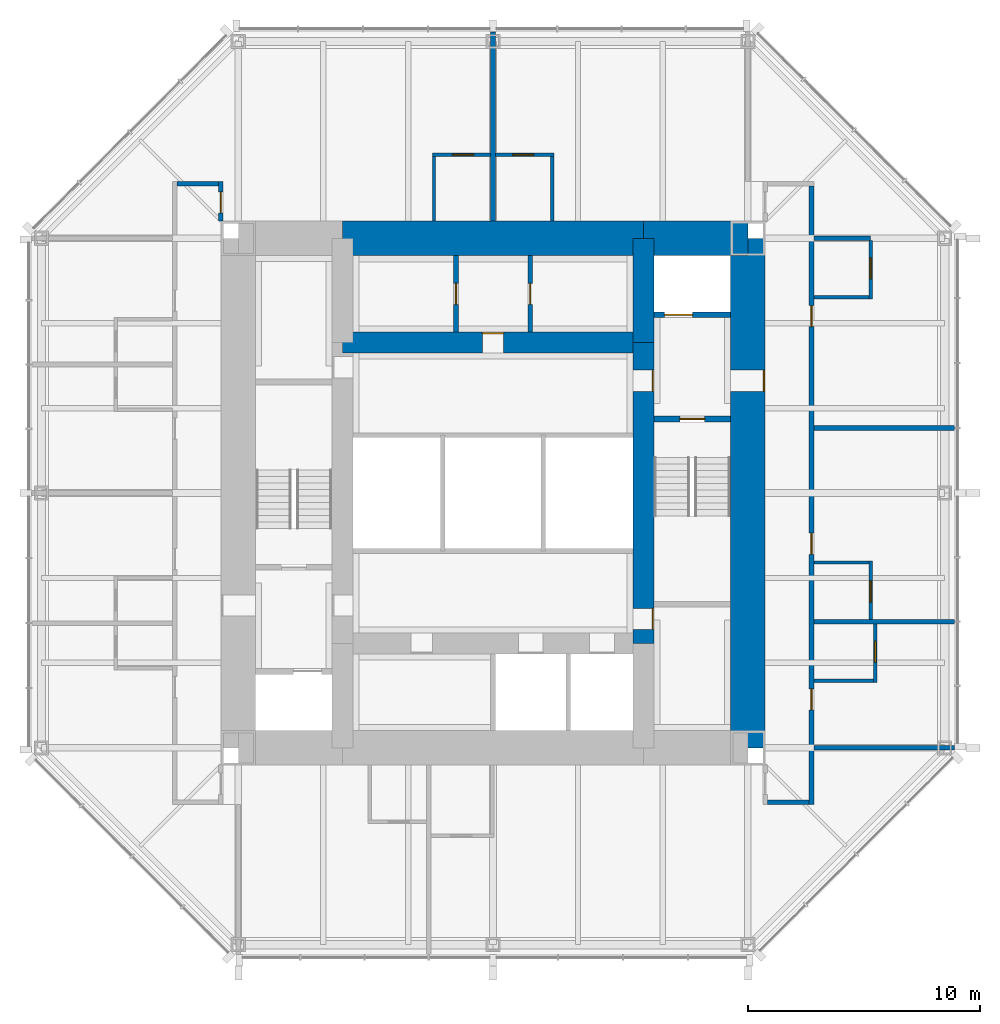
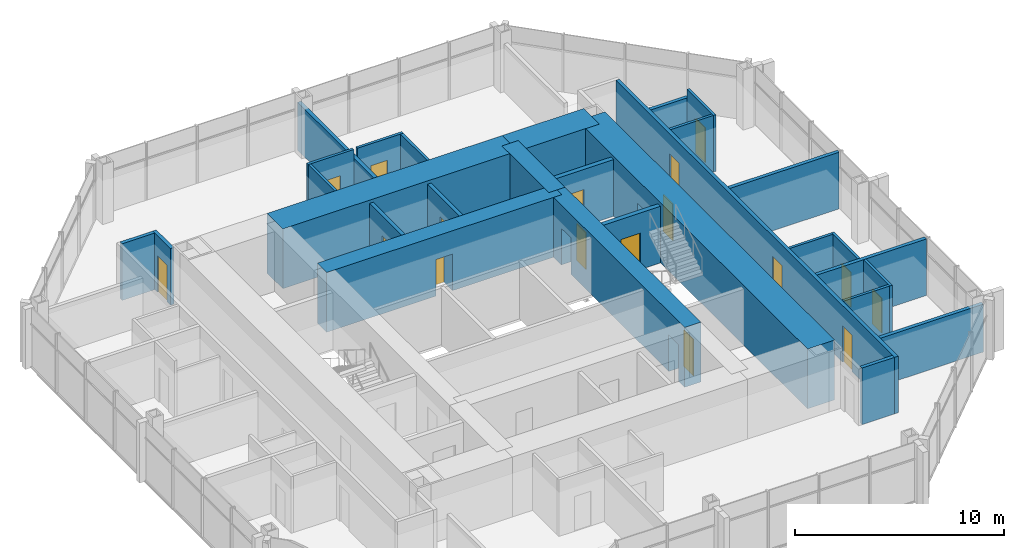
# One storey, part 9 of 11: 29 walls, 17 doors, 17 openings.
"""IFC4 building model written with IfcOpenShell, lengths in metres."""

import ifcopenshell
import ifcopenshell.guid

model = None  # the IFC model being written
_history = None  # IfcOwnerHistory: only IFC2X3 demands one
_inside = {}  # id of a spatial element -> (the spatial element, [elements in it])
_under = {}  # id of a project, library or spatial element -> (it, [spatial elements below it])
_declared = {}  # id of a project -> (the project, [libraries it declares])
_typed = {}  # id of a type object -> (the type object, [elements of that type])
_made_of = {}  # id of a material, layer set ... -> (it, [elements and type objects made of it])


def new_model(schema):
    """Start an empty IFC model of exactly this schema.

    Asked for "IFC4X3", IfcOpenShell would pick the latest addendum, in which some entities
    have other attributes; the version numbers below select the first issue.
    IFC2X3 requires an IfcOwnerHistory on every rooted entity: one is made here for all.
    """
    global model, _history
    if schema == "IFC4X3":
        model = ifcopenshell.file(schema_version=(4, 3, 0, 0))
    else:
        model = ifcopenshell.file(schema=schema)
    _inside.clear()
    _under.clear()
    _declared.clear()
    _typed.clear()
    _made_of.clear()
    _history = None
    if model.schema == "IFC2X3":
        org = make("IfcOrganization", Name="unknown")
        user = make(
            "IfcPersonAndOrganization",
            ThePerson=make("IfcPerson", FamilyName="unknown"),
            TheOrganization=org,
        )
        app = make(
            "IfcApplication",
            ApplicationDeveloper=org,
            Version="unknown",
            ApplicationFullName="unknown",
            ApplicationIdentifier="unknown",
        )
        _history = make(
            "IfcOwnerHistory",
            OwningUser=user,
            OwningApplication=app,
            ChangeAction="ADDED",
            CreationDate=0,
        )
    return model


def make(cls, **values):
    """One entity of the class cls with the attributes given. An attribute that is None is left unset."""
    return model.create_entity(
        cls, **{name: value for name, value in values.items() if value is not None}
    )


def rooted(cls, **values):
    """An entity with a GlobalId (a new one), such as an element, a storey or a relation."""
    return make(cls, GlobalId=ifcopenshell.guid.new(), OwnerHistory=_history, **values)


def si_unit(unit_type, name, prefix=None):
    """IfcSIUnit, for example si_unit("LENGTHUNIT", "METRE", prefix="MILLI")."""
    return make("IfcSIUnit", UnitType=unit_type, Prefix=prefix, Name=name)


def assignment(units):
    """IfcUnitAssignment: the units of a project."""
    return None if units is None else make("IfcUnitAssignment", Units=units)


def point(xyz):
    """IfcCartesianPoint."""
    return None if xyz is None else make("IfcCartesianPoint", Coordinates=xyz)


def direction(xyz):
    """IfcDirection."""
    return None if xyz is None else make("IfcDirection", DirectionRatios=xyz)


def frame(location, z_axis=None, x_axis=None):
    """IfcAxis2Placement3D, a coordinate frame: its origin and axes. An axis left out is left unset."""
    return make(
        "IfcAxis2Placement3D",
        Location=point(location),
        Axis=direction(z_axis),
        RefDirection=direction(x_axis),
    )


def frame_2d(location, x_axis=None):
    """IfcAxis2Placement2D, a coordinate frame in the plane: its origin and x axis."""
    return make(
        "IfcAxis2Placement2D", Location=point(location), RefDirection=direction(x_axis)
    )


def origin():
    """The frame at (0, 0, 0) with its axes left unset."""
    return frame((0.0, 0.0, 0.0))


def place(relative_to, where):
    """IfcLocalPlacement: puts the frame where relative to a parent placement (None: the world)."""
    return make(
        "IfcLocalPlacement", PlacementRelTo=relative_to, RelativePlacement=where
    )


def context(
    kind, dimensions, precision=None, world=None, true_north=None, identifier=None
):
    """IfcGeometricRepresentationContext, for example the 3D "Model" context."""
    return make(
        "IfcGeometricRepresentationContext",
        ContextIdentifier=identifier,
        ContextType=kind,
        CoordinateSpaceDimension=dimensions,
        Precision=precision,
        WorldCoordinateSystem=world,
        TrueNorth=true_north,
    )


def subcontext(parent, identifier, kind, view, scale=None):
    """IfcGeometricRepresentationSubContext, for example "Body" below "Model"."""
    return make(
        "IfcGeometricRepresentationSubContext",
        ContextIdentifier=identifier,
        ContextType=kind,
        ParentContext=parent,
        TargetScale=scale,
        TargetView=view,
    )


def project(units=None, contexts=None):
    """IfcProject with its units and contexts."""
    return rooted(
        "IfcProject",
        Name="project",
        RepresentationContexts=contexts,
        UnitsInContext=assignment(units),
    )


def spatial(cls, under=None, at=None, **own):
    """A site, building, storey or space (cls), placed at a placement, below another one or the project."""
    s = rooted(cls, ObjectPlacement=at, **own)
    if under is not None:
        _under.setdefault(under.id(), (under, []))[1].append(s)
    return s


def profile(cls, at=None, kind="AREA", **sizes):
    """A parametric profile (cls). Its sizes go by their IFC names, for example OverallWidth=200.0."""
    return make(cls, ProfileType=kind, Position=at, **sizes)


def rectangle(**sizes):
    """IfcRectangleProfileDef."""
    return profile("IfcRectangleProfileDef", **sizes)


def extrude(swept, where, along, depth):
    """IfcExtrudedAreaSolid: the profile swept, set in the frame where, extruded along a direction by depth."""
    return make(
        "IfcExtrudedAreaSolid",
        SweptArea=swept,
        Position=where,
        ExtrudedDirection=direction(along),
        Depth=depth,
    )


def shape(context_of_items, identifier, shape_type, items):
    """IfcShapeRepresentation: the items that make up one representation, for example the "Body"."""
    return make(
        "IfcShapeRepresentation",
        ContextOfItems=context_of_items,
        RepresentationIdentifier=identifier,
        RepresentationType=shape_type,
        Items=items,
    )


def material(Name=None, Category=None):
    """IfcMaterial."""
    return make("IfcMaterial", Name=Name, Category=Category)


def layer(
    of_material, thickness, ventilated=None, Name=None, Category=None, Priority=None
):
    """IfcMaterialLayer: one layer of a wall or slab, of a material (None: an air gap)."""
    return make(
        "IfcMaterialLayer",
        Material=of_material,
        LayerThickness=thickness,
        IsVentilated=ventilated,
        Name=Name,
        Category=Category,
        Priority=Priority,
    )


def layer_set(layers, Name=None):
    """IfcMaterialLayerSet."""
    return make("IfcMaterialLayerSet", MaterialLayers=layers, LayerSetName=Name)


def made_of(thing, what):
    """Note that an element or type object is made of a material, layer set ...; save() writes the relation."""
    if what is not None:
        _made_of.setdefault(what.id(), (what, []))[1].append(thing)
    return thing


def type_object(cls, material=None, **own):
    """A type object (cls), such as IfcWallType, which elements share."""
    return made_of(rooted(cls, **own), material)


def element(
    cls,
    number,
    at=None,
    inside=None,
    cuts=None,
    type_object=None,
    material=None,
    context=None,
    identifier="Body",
    shape_type=None,
    held_by="IfcProductDefinitionShape",
    body=None,
    shapes=None,
    **own,
):
    """One element of the class cls, such as IfcWall. Its Tag is "e" and its number.

    at: its placement. inside: the storey or other place that contains it. cuts: it is an
    opening in that element (IfcRelVoidsElement). A single representation is given by context,
    identifier, shape_type and body (its items); several are given by shapes. held_by: the class
    of the entity that holds the representations. save() writes the other relations.
    """
    e = rooted(cls, Tag="e%d" % number, ObjectPlacement=at, **own)
    if body is not None:
        shapes = [shape(context, identifier, shape_type, body)]
    if shapes is not None:
        e.Representation = make(held_by, Representations=shapes)
    if inside is not None:
        _inside.setdefault(inside.id(), (inside, []))[1].append(e)
    if cuts is not None:
        rooted(
            "IfcRelVoidsElement", RelatingBuildingElement=cuts, RelatedOpeningElement=e
        )
    if type_object is not None:
        _typed.setdefault(type_object.id(), (type_object, []))[1].append(e)
    return made_of(e, material)


def fill(opening, filler):
    """IfcRelFillsElement: the door or window that sits in an opening."""
    return rooted(
        "IfcRelFillsElement",
        RelatingOpeningElement=opening,
        RelatedBuildingElement=filler,
    )


def aggregate(whole, parts):
    """IfcRelAggregates: a whole, such as a stair, and the parts it consists of."""
    return rooted("IfcRelAggregates", RelatingObject=whole, RelatedObjects=parts)


def save(model, path):
    """Write the relations noted so far, then the file.

    IfcRelAggregates (storeys below a building ...), IfcRelContainedInSpatialStructure (elements
    in a storey), IfcRelDefinesByType, IfcRelAssociatesMaterial and IfcRelDeclares: one each for
    every whole, place, type object, material and project.
    """
    for whole, parts in _under.values():
        aggregate(whole, parts)
    for where, things in _inside.values():
        rooted(
            "IfcRelContainedInSpatialStructure",
            RelatedElements=things,
            RelatingStructure=where,
        )
    for kind, things in _typed.values():
        rooted("IfcRelDefinesByType", RelatedObjects=things, RelatingType=kind)
    for what, things in _made_of.values():
        rooted("IfcRelAssociatesMaterial", RelatedObjects=things, RelatingMaterial=what)
    for by, libraries in _declared.values():
        rooted("IfcRelDeclares", RelatingContext=by, RelatedDefinitions=libraries)
    model.write(path)


model = new_model("IFC4")

# Units and contexts
model_context = context("Model", 3, precision=1e-05, world=origin(), true_north=direction((0.0, 1.0)))
body_context = subcontext(model_context, "Body", "Model", "MODEL_VIEW")
ifc_project = project(units=[si_unit("LENGTHUNIT", "METRE"), si_unit("AREAUNIT", "SQUARE_METRE"), si_unit("VOLUMEUNIT", "CUBIC_METRE"), si_unit("PLANEANGLEUNIT", "RADIAN"), si_unit("MASSUNIT", "GRAM", prefix="KILO")], contexts=[model_context])

# Site, building, storey
site_placement = place(None, origin())
site = spatial("IfcSite", under=ifc_project, at=site_placement, CompositionType="ELEMENT")
building_placement = place(site_placement, origin())
building = spatial("IfcBuilding", under=site, at=building_placement, Name="Trevanion Tower", CompositionType="ELEMENT")
storey_placement = place(building_placement, frame((0.0, 0.0, 229.199951171875)))
storey = spatial("IfcBuildingStorey", under=building, at=storey_placement, Name="L55", CompositionType="ELEMENT", Elevation=229.199951171875)

# Wall, opening, door
ifc_material_1 = material(Name="Concrete 10,000 psi", Category="concrete")
ifc_layer_1 = layer(ifc_material_1, 1.5)
ifc_layer_set_1 = layer_set([ifc_layer_1], Name="CW1 core wall 1500")
wall_type_1 = type_object("IfcWallType", Name="CW1 core wall 1500", PredefinedType="SHEAR", material=ifc_layer_set_1)
wall_1_placement = place(storey_placement, frame((11.0, -11.0, 0.0), z_axis=(0.0, 0.0, 1.0), x_axis=(0.0, 1.0, 0.0)))
wall_1 = element("IfcWall", 1, at=wall_1_placement, inside=storey, type_object=wall_type_1, Name="CW1 CE L55", PredefinedType="SHEAR", context=body_context, shape_type="SweptSolid", body=[
    extrude(rectangle(XDim=22.0, YDim=1.5, at=frame_2d((11.0, 0.0))), origin(), (0.0, 0.0, 1.0), 3.5),
])
opening_1_placement = place(wall_1_placement, frame((15.392578125, 0.0, 0.0)))
opening_1 = element("IfcOpeningElement", 2, at=opening_1_placement, cuts=wall_1, Name="Opening 55-001", PredefinedType="OPENING", context=body_context, shape_type="SweptSolid", body=[
    extrude(rectangle(XDim=0.9150390625, YDim=2.134033203125, at=frame_2d((0.45751953125, 1.06689453125))), frame((0.0, 0.760009765625, 0.0), z_axis=(0.0, -1.0, 0.0), x_axis=(1.0, 0.0, 0.0)), (0.0, 0.0, 1.0), 1.52001953125),
])
ifc_material_2 = material(Name="Hollow metal, fire rated", Category="steel")
door_type_1 = type_object("IfcDoorType", Name="D3 fire lift lobby door", OperationType="SINGLE_SWING_RIGHT", PredefinedType="DOOR", material=ifc_material_2)
door_1_placement = place(opening_1_placement, origin())
door_1 = element("IfcDoor", 3, at=door_1_placement, inside=storey, type_object=door_type_1, Name="Door 55-001", OperationType="SINGLE_SWING_RIGHT", OverallHeight=2.134033203125, OverallWidth=0.9150390625, PredefinedType="DOOR", context=body_context, shape_type="SweptSolid", body=[
    extrude(rectangle(XDim=0.9150390625, YDim=2.134033203125, at=frame_2d((0.45751953125, 1.06689453125))), frame((0.0, -0.6748046875, 0.0), z_axis=(0.0, -1.0, 0.0), x_axis=(1.0, 0.0, 0.0)), (0.0, 0.0, 1.0), 0.050048828125),
])
fill(opening_1, door_1)

# Walls
wall_2_placement = place(storey_placement, frame((11.0, 11.0, 0.0), z_axis=(0.0, 0.0, 1.0), x_axis=(-1.0, 0.0, 0.0)))
element("IfcWall", 4, at=wall_2_placement, inside=storey, type_object=wall_type_1, Name="CW1 CN1 L55", PredefinedType="SHEAR", context=body_context, shape_type="SweptSolid", body=[
    extrude(rectangle(XDim=4.5, YDim=1.5, at=frame_2d((2.25, 0.0))), origin(), (0.0, 0.0, 1.0), 3.5),
])
wall_3_placement = place(storey_placement, frame((6.5, 11.0, 0.0), z_axis=(0.0, 0.0, 1.0), x_axis=(-1.0, 0.0, 0.0)))
element("IfcWall", 5, at=wall_3_placement, inside=storey, type_object=wall_type_1, Name="CW1 CN2 L55", PredefinedType="SHEAR", context=body_context, shape_type="SweptSolid", body=[
    extrude(rectangle(XDim=13.0, YDim=1.5, at=frame_2d((6.5, 0.0))), origin(), (0.0, 0.0, 1.0), 3.5),
])

# Wall, openings, doors
ifc_material_3 = material(Name="Concrete 10,000 psi", Category="concrete")
ifc_layer_2 = layer(ifc_material_3, 0.89990234375)
ifc_layer_set_2 = layer_set([ifc_layer_2], Name="CW2 core wall 900")
wall_type_2 = type_object("IfcWallType", Name="CW2 core wall 900", PredefinedType="SHEAR", material=ifc_layer_set_2)
wall_4_placement = place(storey_placement, frame((6.5, -6.5, 0.0), z_axis=(0.0, 0.0, 1.0), x_axis=(0.0, 1.0, 0.0)))
wall_4 = element("IfcWall", 6, at=wall_4_placement, inside=storey, type_object=wall_type_2, Name="CW2 RE2 L55", PredefinedType="SHEAR", context=body_context, shape_type="SweptSolid", body=[
    extrude(rectangle(XDim=13.0, YDim=0.89990234375, at=frame_2d((6.5, 0.0))), origin(), (0.0, 0.0, 1.0), 3.5),
])
opening_2_placement = place(wall_4_placement, frame((10.892578125, 0.0, 0.0)))
opening_2 = element("IfcOpeningElement", 7, at=opening_2_placement, cuts=wall_4, Name="Opening 55-003", PredefinedType="OPENING", context=body_context, shape_type="SweptSolid", body=[
    extrude(rectangle(XDim=0.9150390625, YDim=2.134033203125, at=frame_2d((0.45751953125, 1.06689453125))), frame((0.0, 0.4599609375, 0.0), z_axis=(0.0, -1.0, 0.0), x_axis=(1.0, 0.0, 0.0)), (0.0, 0.0, 1.0), 0.919921875),
])
opening_3_placement = place(wall_4_placement, frame((0.610107421875, 0.0, 0.0)))
opening_3 = element("IfcOpeningElement", 8, at=opening_3_placement, cuts=wall_4, Name="Opening 55-009", PredefinedType="OPENING", context=body_context, shape_type="SweptSolid", body=[
    extrude(rectangle(XDim=0.9150390625, YDim=2.134033203125, at=frame_2d((0.45751953125, 1.06689453125))), frame((0.0, 0.4599609375, 0.0), z_axis=(0.0, -1.0, 0.0), x_axis=(1.0, 0.0, 0.0)), (0.0, 0.0, 1.0), 0.919921875),
])
door_2_placement = place(opening_2_placement, origin())
door_2 = element("IfcDoor", 9, at=door_2_placement, inside=storey, type_object=door_type_1, Name="Door 55-003", OperationType="SINGLE_SWING_RIGHT", OverallHeight=2.134033203125, OverallWidth=0.9150390625, PredefinedType="DOOR", context=body_context, shape_type="SweptSolid", body=[
    extrude(rectangle(XDim=0.9150390625, YDim=2.134033203125, at=frame_2d((0.45751953125, 1.06689453125))), frame((0.0, -0.375, 0.0), z_axis=(0.0, -1.0, 0.0), x_axis=(1.0, 0.0, 0.0)), (0.0, 0.0, 1.0), 0.050048828125),
])
fill(opening_2, door_2)
ifc_material_4 = material(Name="Hollow metal, fire rated", Category="steel")
door_type_2 = type_object("IfcDoorType", Name="D5 service room door", OperationType="SINGLE_SWING_RIGHT", PredefinedType="DOOR", material=ifc_material_4)
door_3_placement = place(opening_3_placement, origin())
door_3 = element("IfcDoor", 10, at=door_3_placement, inside=storey, type_object=door_type_2, Name="Door 55-009", OperationType="SINGLE_SWING_RIGHT", OverallHeight=2.134033203125, OverallWidth=0.9150390625, PredefinedType="DOOR", context=body_context, shape_type="SweptSolid", body=[
    extrude(rectangle(XDim=0.9150390625, YDim=2.134033203125, at=frame_2d((0.45751953125, 1.06689453125))), frame((0.0, -0.375, 0.0), z_axis=(0.0, -1.0, 0.0), x_axis=(1.0, 0.0, 0.0)), (0.0, 0.0, 1.0), 0.050048828125),
])
fill(opening_3, door_3)

# Wall
wall_5_placement = place(storey_placement, frame((6.5, 6.5, 0.0), z_axis=(0.0, 0.0, 1.0), x_axis=(0.0, 1.0, 0.0)))
element("IfcWall", 11, at=wall_5_placement, inside=storey, type_object=wall_type_2, Name="CW2 RE3 L55", PredefinedType="SHEAR", context=body_context, shape_type="SweptSolid", body=[
    extrude(rectangle(XDim=4.5, YDim=0.89990234375, at=frame_2d((2.25, 0.0))), origin(), (0.0, 0.0, 1.0), 3.5),
])

# Wall, opening, door
wall_6_placement = place(storey_placement, frame((6.5, 6.5, 0.0), z_axis=(0.0, 0.0, 1.0), x_axis=(-1.0, 0.0, 0.0)))
wall_6 = element("IfcWall", 12, at=wall_6_placement, inside=storey, type_object=wall_type_2, Name="CW2 RN L55", PredefinedType="SHEAR", context=body_context, shape_type="SweptSolid", body=[
    extrude(rectangle(XDim=13.0, YDim=0.89990234375, at=frame_2d((6.5, 0.0))), origin(), (0.0, 0.0, 1.0), 3.5),
])
opening_4_placement = place(wall_6_placement, frame((6.04248046875, 0.0, 0.0)))
opening_4 = element("IfcOpeningElement", 13, at=opening_4_placement, cuts=wall_6, Name="Opening 55-014", PredefinedType="OPENING", context=body_context, shape_type="SweptSolid", body=[
    extrude(rectangle(XDim=0.9150390625, YDim=2.134033203125, at=frame_2d((0.45751953125, 1.06689453125))), frame((0.0, 0.4599609375, 0.0), z_axis=(0.0, -1.0, 0.0), x_axis=(1.0, 0.0, 0.0)), (0.0, 0.0, 1.0), 0.919921875),
])
door_4_placement = place(opening_4_placement, origin())
door_4 = element("IfcDoor", 14, at=door_4_placement, inside=storey, type_object=door_type_2, Name="Door 55-014", OperationType="SINGLE_SWING_RIGHT", OverallHeight=2.134033203125, OverallWidth=0.9150390625, PredefinedType="DOOR", context=body_context, shape_type="SweptSolid", body=[
    extrude(rectangle(XDim=0.9150390625, YDim=2.134033203125, at=frame_2d((0.45751953125, 1.06689453125))), frame((0.0, -0.375, 0.0), z_axis=(0.0, -1.0, 0.0), x_axis=(1.0, 0.0, 0.0)), (0.0, 0.0, 1.0), 0.050048828125),
])
fill(opening_4, door_4)

ifc_material_5 = material(Name="Gypsum board on steel studs", Category="steel")
ifc_layer_3 = layer(ifc_material_5, 0.14990234375)
ifc_layer_set_3 = layer_set([ifc_layer_3], Name="PT1 partition 150")
wall_type_3 = type_object("IfcWallType", Name="PT1 partition 150", PredefinedType="PARTITIONING", material=ifc_layer_set_3)
wall_7_placement = place(storey_placement, frame((16.5, -8.174072265625, 0.0), z_axis=(0.0, 0.0, 1.0), x_axis=(0.0, 1.0, 0.0)))
wall_7 = element("IfcWall", 15, at=wall_7_placement, inside=storey, type_object=wall_type_3, Name="PT1 L55 BA00", PredefinedType="PARTITIONING", context=body_context, shape_type="SweptSolid", body=[
    extrude(rectangle(XDim=2.525146484375, YDim=0.14990234375, at=frame_2d((1.2626953125, 0.0))), origin(), (0.0, 0.0, 1.0), 3.31005859375),
])
opening_5_placement = place(wall_7_placement, frame((0.867431640625, 0.0, 0.0)))
opening_5 = element("IfcOpeningElement", 16, at=opening_5_placement, cuts=wall_7, Name="Opening 55-017", PredefinedType="OPENING", context=body_context, shape_type="SweptSolid", body=[
    extrude(rectangle(XDim=0.9150390625, YDim=2.031982421875, at=frame_2d((0.45751953125, 1.01611328125))), frame((0.0, 0.0849609375, 0.0), z_axis=(0.0, -1.0, 0.0), x_axis=(1.0, 0.0, 0.0)), (0.0, 0.0, 1.0), 0.169921875),
])
ifc_material_6 = material(Name="Timber veneer", Category="wood")
door_type_3 = type_object("IfcDoorType", Name="D7 bathroom door", OperationType="SINGLE_SWING_LEFT", PredefinedType="DOOR", material=ifc_material_6)
door_5_placement = place(opening_5_placement, origin())
door_5 = element("IfcDoor", 17, at=door_5_placement, inside=storey, type_object=door_type_3, Name="Door 55-017", OperationType="SINGLE_SWING_LEFT", OverallHeight=2.031982421875, OverallWidth=0.9150390625, PredefinedType="DOOR", context=body_context, shape_type="SweptSolid", body=[
    extrude(rectangle(XDim=0.9150390625, YDim=2.031982421875, at=frame_2d((0.45751953125, 1.01611328125))), frame((0.0, 0.02490234375, 0.0), z_axis=(0.0, -1.0, 0.0), x_axis=(1.0, 0.0, 0.0)), (0.0, 0.0, 1.0), 0.050048828125),
])
fill(opening_5, door_5)

# Wall
wall_8_placement = place(storey_placement, frame((13.85009765625, -8.09912109375, 0.0), z_axis=(0.0, 0.0, 1.0), x_axis=(1.0, 0.0, 0.0)))
element("IfcWall", 18, at=wall_8_placement, inside=storey, type_object=wall_type_3, Name="PT1 L55 BB00", PredefinedType="PARTITIONING", context=body_context, shape_type="SweptSolid", body=[
    extrude(rectangle(XDim=2.574951171875, YDim=0.14990234375, at=frame_2d((1.28759765625, 0.0))), origin(), (0.0, 0.0, 1.0), 3.31005859375),
])

# Wall, opening, door
wall_9_placement = place(storey_placement, frame((16.300048828125, -5.448974609375, 0.0), z_axis=(0.0, 0.0, 1.0), x_axis=(0.0, 1.0, 0.0)))
wall_9 = element("IfcWall", 19, at=wall_9_placement, inside=storey, type_object=wall_type_3, Name="PT1 L55 BA01", PredefinedType="PARTITIONING", context=body_context, shape_type="SweptSolid", body=[
    extrude(rectangle(XDim=2.52490234375, YDim=0.14990234375, at=frame_2d((1.262451171875, 0.0))), origin(), (0.0, 0.0, 1.0), 3.31005859375),
])
opening_6_placement = place(wall_9_placement, frame((0.742431640625, 0.0, 0.0)))
opening_6 = element("IfcOpeningElement", 20, at=opening_6_placement, cuts=wall_9, Name="Opening 55-019", PredefinedType="OPENING", context=body_context, shape_type="SweptSolid", body=[
    extrude(rectangle(XDim=0.9150390625, YDim=2.031982421875, at=frame_2d((0.45751953125, 1.01611328125))), frame((0.0, 0.0849609375, 0.0), z_axis=(0.0, -1.0, 0.0), x_axis=(1.0, 0.0, 0.0)), (0.0, 0.0, 1.0), 0.169921875),
])
door_6_placement = place(opening_6_placement, origin())
door_6 = element("IfcDoor", 21, at=door_6_placement, inside=storey, type_object=door_type_3, Name="Door 55-019", OperationType="SINGLE_SWING_LEFT", OverallHeight=2.031982421875, OverallWidth=0.9150390625, PredefinedType="DOOR", context=body_context, shape_type="SweptSolid", body=[
    extrude(rectangle(XDim=0.9150390625, YDim=2.031982421875, at=frame_2d((0.45751953125, 1.01611328125))), frame((0.0, 0.02490234375, 0.0), z_axis=(0.0, -1.0, 0.0), x_axis=(1.0, 0.0, 0.0)), (0.0, 0.0, 1.0), 0.050048828125),
])
fill(opening_6, door_6)

# Wall
wall_10_placement = place(storey_placement, frame((13.85009765625, -2.9990234375, 0.0), z_axis=(0.0, 0.0, 1.0), x_axis=(1.0, 0.0, 0.0)))
element("IfcWall", 22, at=wall_10_placement, inside=storey, type_object=wall_type_3, Name="PT1 L55 BB01", PredefinedType="PARTITIONING", context=body_context, shape_type="SweptSolid", body=[
    extrude(rectangle(XDim=2.375, YDim=0.14990234375, at=frame_2d((1.1875, 0.0))), origin(), (0.0, 0.0, 1.0), 3.31005859375),
])

# Wall, opening, door
wall_11_placement = place(storey_placement, frame((16.300048828125, 8.375, 0.0), z_axis=(0.0, 0.0, 1.0), x_axis=(0.0, 1.0, 0.0)))
wall_11 = element("IfcWall", 23, at=wall_11_placement, inside=storey, type_object=wall_type_3, Name="PT1 L55 BA02", PredefinedType="PARTITIONING", context=body_context, shape_type="SweptSolid", body=[
    extrude(rectangle(XDim=2.52490234375, YDim=0.14990234375, at=frame_2d((1.262451171875, 0.0))), origin(), (0.0, 0.0, 1.0), 3.31005859375),
])
opening_7_placement = place(wall_11_placement, frame((0.867431640625, 0.0, 0.0)))
opening_7 = element("IfcOpeningElement", 24, at=opening_7_placement, cuts=wall_11, Name="Opening 55-021", PredefinedType="OPENING", context=body_context, shape_type="SweptSolid", body=[
    extrude(rectangle(XDim=0.9150390625, YDim=2.031982421875, at=frame_2d((0.45751953125, 1.01611328125))), frame((0.0, 0.0849609375, 0.0), z_axis=(0.0, -1.0, 0.0), x_axis=(1.0, 0.0, 0.0)), (0.0, 0.0, 1.0), 0.169921875),
])
door_7_placement = place(opening_7_placement, origin())
door_7 = element("IfcDoor", 25, at=door_7_placement, inside=storey, type_object=door_type_3, Name="Door 55-021", OperationType="SINGLE_SWING_LEFT", OverallHeight=2.031982421875, OverallWidth=0.9150390625, PredefinedType="DOOR", context=body_context, shape_type="SweptSolid", body=[
    extrude(rectangle(XDim=0.9150390625, YDim=2.031982421875, at=frame_2d((0.45751953125, 1.01611328125))), frame((0.0, 0.02490234375, 0.0), z_axis=(0.0, -1.0, 0.0), x_axis=(1.0, 0.0, 0.0)), (0.0, 0.0, 1.0), 0.050048828125),
])
fill(opening_7, door_7)

# Wall
wall_12_placement = place(storey_placement, frame((13.85009765625, 8.449951171875, 0.0), z_axis=(0.0, 0.0, 1.0), x_axis=(1.0, 0.0, 0.0)))
element("IfcWall", 26, at=wall_12_placement, inside=storey, type_object=wall_type_3, Name="PT1 L55 BB02", PredefinedType="PARTITIONING", context=body_context, shape_type="SweptSolid", body=[
    extrude(rectangle(XDim=2.375, YDim=0.14990234375, at=frame_2d((1.1875, 0.0))), origin(), (0.0, 0.0, 1.0), 3.31005859375),
])

# Wall, opening, door
wall_13_placement = place(storey_placement, frame((2.625, 14.60009765625, 0.0), z_axis=(0.0, 0.0, 1.0), x_axis=(-1.0, 0.0, 0.0)))
wall_13 = element("IfcWall", 27, at=wall_13_placement, inside=storey, type_object=wall_type_3, Name="PT1 L55 BA10", PredefinedType="PARTITIONING", context=body_context, shape_type="SweptSolid", body=[
    extrude(rectangle(XDim=2.52490234375, YDim=0.14990234375, at=frame_2d((1.262451171875, 0.0))), origin(), (0.0, 0.0, 1.0), 3.31005859375),
])
opening_8_placement = place(wall_13_placement, frame((0.867431640625, 0.0, 0.0)))
opening_8 = element("IfcOpeningElement", 28, at=opening_8_placement, cuts=wall_13, Name="Opening 55-025", PredefinedType="OPENING", context=body_context, shape_type="SweptSolid", body=[
    extrude(rectangle(XDim=0.9150390625, YDim=2.031982421875, at=frame_2d((0.45751953125, 1.01611328125))), frame((0.0, 0.0849609375, 0.0), z_axis=(0.0, -1.0, 0.0), x_axis=(1.0, 0.0, 0.0)), (0.0, 0.0, 1.0), 0.169921875),
])
door_8_placement = place(opening_8_placement, origin())
door_8 = element("IfcDoor", 29, at=door_8_placement, inside=storey, type_object=door_type_3, Name="Door 55-025", OperationType="SINGLE_SWING_LEFT", OverallHeight=2.031982421875, OverallWidth=0.9150390625, PredefinedType="DOOR", context=body_context, shape_type="SweptSolid", body=[
    extrude(rectangle(XDim=0.9150390625, YDim=2.031982421875, at=frame_2d((0.45751953125, 1.01611328125))), frame((0.0, 0.02490234375, 0.0), z_axis=(0.0, -1.0, 0.0), x_axis=(1.0, 0.0, 0.0)), (0.0, 0.0, 1.0), 0.050048828125),
])
fill(opening_8, door_8)

# Wall
wall_14_placement = place(storey_placement, frame((2.550048828125, 11.75, 0.0), z_axis=(0.0, 0.0, 1.0), x_axis=(0.0, 1.0, 0.0)))
element("IfcWall", 30, at=wall_14_placement, inside=storey, type_object=wall_type_3, Name="PT1 L55 BB10", PredefinedType="PARTITIONING", context=body_context, shape_type="SweptSolid", body=[
    extrude(rectangle(XDim=2.77490234375, YDim=0.14990234375, at=frame_2d((1.387451171875, 0.0))), origin(), (0.0, 0.0, 1.0), 3.31005859375),
])

# Wall, opening, door
wall_15_placement = place(storey_placement, frame((-0.10009765625, 14.60009765625, 0.0), z_axis=(0.0, 0.0, 1.0), x_axis=(-1.0, 0.0, 0.0)))
wall_15 = element("IfcWall", 31, at=wall_15_placement, inside=storey, type_object=wall_type_3, Name="PT1 L55 BA11", PredefinedType="PARTITIONING", context=body_context, shape_type="SweptSolid", body=[
    extrude(rectangle(XDim=2.52490234375, YDim=0.14990234375, at=frame_2d((1.262451171875, 0.0))), origin(), (0.0, 0.0, 1.0), 3.31005859375),
])
opening_9_placement = place(wall_15_placement, frame((0.742431640625, 0.0, 0.0)))
opening_9 = element("IfcOpeningElement", 32, at=opening_9_placement, cuts=wall_15, Name="Opening 55-026", PredefinedType="OPENING", context=body_context, shape_type="SweptSolid", body=[
    extrude(rectangle(XDim=0.9150390625, YDim=2.031982421875, at=frame_2d((0.45751953125, 1.01611328125))), frame((0.0, 0.0849609375, 0.0), z_axis=(0.0, -1.0, 0.0), x_axis=(1.0, 0.0, 0.0)), (0.0, 0.0, 1.0), 0.169921875),
])
door_9_placement = place(opening_9_placement, origin())
door_9 = element("IfcDoor", 33, at=door_9_placement, inside=storey, type_object=door_type_3, Name="Door 55-026", OperationType="SINGLE_SWING_LEFT", OverallHeight=2.031982421875, OverallWidth=0.9150390625, PredefinedType="DOOR", context=body_context, shape_type="SweptSolid", body=[
    extrude(rectangle(XDim=0.9150390625, YDim=2.031982421875, at=frame_2d((0.45751953125, 1.01611328125))), frame((0.0, 0.02490234375, 0.0), z_axis=(0.0, -1.0, 0.0), x_axis=(1.0, 0.0, 0.0)), (0.0, 0.0, 1.0), 0.050048828125),
])
fill(opening_9, door_9)

# Wall
wall_16_placement = place(storey_placement, frame((-2.550048828125, 11.75, 0.0), z_axis=(0.0, 0.0, 1.0), x_axis=(0.0, 1.0, 0.0)))
element("IfcWall", 34, at=wall_16_placement, inside=storey, type_object=wall_type_3, Name="PT1 L55 BB11", PredefinedType="PARTITIONING", context=body_context, shape_type="SweptSolid", body=[
    extrude(rectangle(XDim=2.77490234375, YDim=0.14990234375, at=frame_2d((1.387451171875, 0.0))), origin(), (0.0, 0.0, 1.0), 3.31005859375),
])

# Wall, opening, door
ifc_material_7 = material(Name="Concrete masonry, grouted", Category="masonry")
ifc_layer_4 = layer(ifc_material_7, 0.199951171875)
ifc_layer_set_4 = layer_set([ifc_layer_4], Name="PT2 partition 200 1 HR")
wall_type_4 = type_object("IfcWallType", Name="PT2 partition 200 1 HR", PredefinedType="PARTITIONING", material=ifc_layer_set_4)
wall_17_placement = place(storey_placement, frame((-1.60009765625, 6.949951171875, 0.0), z_axis=(0.0, 0.0, 1.0), x_axis=(0.0, 1.0, 0.0)))
wall_17 = element("IfcWall", 35, at=wall_17_placement, inside=storey, type_object=wall_type_4, Name="PT2 L55 HKP1", PredefinedType="PARTITIONING", context=body_context, shape_type="SweptSolid", body=[
    extrude(rectangle(XDim=3.300048828125, YDim=0.199951171875, at=frame_2d((1.64990234375, 0.0))), origin(), (0.0, 0.0, 1.0), 3.31005859375),
])
opening_10_placement = place(wall_17_placement, frame((1.1923828125, 0.0, 0.0)))
opening_10 = element("IfcOpeningElement", 36, at=opening_10_placement, cuts=wall_17, Name="Opening 55-015", PredefinedType="OPENING", context=body_context, shape_type="SweptSolid", body=[
    extrude(rectangle(XDim=0.9150390625, YDim=2.134033203125, at=frame_2d((0.45751953125, 1.06689453125))), frame((0.0, 0.10986328125, 0.0), z_axis=(0.0, -1.0, 0.0), x_axis=(1.0, 0.0, 0.0)), (0.0, 0.0, 1.0), 0.219970703125),
])
door_10_placement = place(opening_10_placement, origin())
door_10 = element("IfcDoor", 37, at=door_10_placement, inside=storey, type_object=door_type_2, Name="Door 55-015", OperationType="SINGLE_SWING_RIGHT", OverallHeight=2.134033203125, OverallWidth=0.9150390625, PredefinedType="DOOR", context=body_context, shape_type="SweptSolid", body=[
    extrude(rectangle(XDim=0.9150390625, YDim=2.134033203125, at=frame_2d((0.45751953125, 1.06689453125))), frame((0.0, 0.02490234375, 0.0), z_axis=(0.0, -1.0, 0.0), x_axis=(1.0, 0.0, 0.0)), (0.0, 0.0, 1.0), 0.050048828125),
])
fill(opening_10, door_10)

wall_18_placement = place(storey_placement, frame((1.60009765625, 6.949951171875, 0.0), z_axis=(0.0, 0.0, 1.0), x_axis=(0.0, 1.0, 0.0)))
wall_18 = element("IfcWall", 38, at=wall_18_placement, inside=storey, type_object=wall_type_4, Name="PT2 L55 HKP2", PredefinedType="PARTITIONING", context=body_context, shape_type="SweptSolid", body=[
    extrude(rectangle(XDim=3.300048828125, YDim=0.199951171875, at=frame_2d((1.64990234375, 0.0))), origin(), (0.0, 0.0, 1.0), 3.31005859375),
])
opening_11_placement = place(wall_18_placement, frame((1.1923828125, 0.0, 0.0)))
opening_11 = element("IfcOpeningElement", 39, at=opening_11_placement, cuts=wall_18, Name="Opening 55-016", PredefinedType="OPENING", context=body_context, shape_type="SweptSolid", body=[
    extrude(rectangle(XDim=0.9150390625, YDim=2.134033203125, at=frame_2d((0.45751953125, 1.06689453125))), frame((0.0, 0.10986328125, 0.0), z_axis=(0.0, -1.0, 0.0), x_axis=(1.0, 0.0, 0.0)), (0.0, 0.0, 1.0), 0.219970703125),
])
door_11_placement = place(opening_11_placement, origin())
door_11 = element("IfcDoor", 40, at=door_11_placement, inside=storey, type_object=door_type_2, Name="Door 55-016", OperationType="SINGLE_SWING_RIGHT", OverallHeight=2.134033203125, OverallWidth=0.9150390625, PredefinedType="DOOR", context=body_context, shape_type="SweptSolid", body=[
    extrude(rectangle(XDim=0.9150390625, YDim=2.134033203125, at=frame_2d((0.45751953125, 1.06689453125))), frame((0.0, 0.02490234375, 0.0), z_axis=(0.0, -1.0, 0.0), x_axis=(1.0, 0.0, 0.0)), (0.0, 0.0, 1.0), 0.050048828125),
])
fill(opening_11, door_11)

wall_19_placement = place(storey_placement, frame((-11.75, 11.75, 0.0), z_axis=(0.0, 0.0, 1.0), x_axis=(0.0, 1.0, 0.0)))
wall_19 = element("IfcWall", 41, at=wall_19_placement, inside=storey, type_object=wall_type_4, Name="PT2 L55 HO1b", PredefinedType="PARTITIONING", context=body_context, shape_type="SweptSolid", body=[
    extrude(rectangle(XDim=1.699951171875, YDim=0.199951171875, at=frame_2d((0.85009765625, 0.0))), origin(), (0.0, 0.0, 1.0), 3.31005859375),
])
opening_12_placement = place(wall_19_placement, frame((0.342529296875, 0.0, 0.0)))
opening_12 = element("IfcOpeningElement", 42, at=opening_12_placement, cuts=wall_19, Name="Opening 55-024", PredefinedType="OPENING", context=body_context, shape_type="SweptSolid", body=[
    extrude(rectangle(XDim=0.9150390625, YDim=2.134033203125, at=frame_2d((0.45751953125, 1.06689453125))), frame((0.0, 0.10986328125, 0.0), z_axis=(0.0, -1.0, 0.0), x_axis=(1.0, 0.0, 0.0)), (0.0, 0.0, 1.0), 0.219970703125),
])
ifc_material_8 = material(Name="Timber veneer, fire rated", Category="wood")
door_type_4 = type_object("IfcDoorType", Name="D6 guest room entrance door", OperationType="SINGLE_SWING_LEFT", PredefinedType="DOOR", material=ifc_material_8)
door_12_placement = place(opening_12_placement, origin())
door_12 = element("IfcDoor", 43, at=door_12_placement, inside=storey, type_object=door_type_4, Name="Door 55-024", OperationType="SINGLE_SWING_LEFT", OverallHeight=2.134033203125, OverallWidth=0.9150390625, PredefinedType="DOOR", context=body_context, shape_type="SweptSolid", body=[
    extrude(rectangle(XDim=0.9150390625, YDim=2.134033203125, at=frame_2d((0.45751953125, 1.06689453125))), frame((0.0, 0.02490234375, 0.0), z_axis=(0.0, -1.0, 0.0), x_axis=(1.0, 0.0, 0.0)), (0.0, 0.0, 1.0), 0.050048828125),
])
fill(opening_12, door_12)

# Walls
for number, where, z_axis, x_axis, name in (
    (44, (-11.85009765625, 13.35009765625, 0.0), (0.0, 0.0, 1.0), (-1.0, 0.0, 0.0), "PT2 L55 HC1cb"),
    (45, (11.85009765625, -13.35009765625, 0.0), (0.0, 0.0, 1.0), (1.0, 0.0, 0.0), "PT2 L55 HC3cb"),
):
    element("IfcWall", number, at=place(storey_placement, frame(where, z_axis=z_axis, x_axis=x_axis)), inside=storey, type_object=wall_type_4, Name=name, PredefinedType="PARTITIONING", context=body_context, shape_type="SweptSolid", body=[
        extrude(rectangle(XDim=1.7998046875, YDim=0.199951171875, at=frame_2d((0.89990234375, 0.0))), origin(), (0.0, 0.0, 1.0), 3.31005859375),
    ])

# Wall, openings, doors
wall_20_placement = place(storey_placement, frame((13.75, -13.449951171875, 0.0), z_axis=(0.0, 0.0, 1.0), x_axis=(0.0, 1.0, 0.0)))
wall_20 = element("IfcWall", 46, at=wall_20_placement, inside=storey, type_object=wall_type_4, Name="PT2 L55 HC0", PredefinedType="PARTITIONING", context=body_context, shape_type="SweptSolid", body=[
    extrude(rectangle(XDim=26.699951171875, YDim=0.199951171875, at=frame_2d((13.35009765625, 0.0))), origin(), (0.0, 0.0, 1.0), 3.31005859375),
])
opening_13_placement = place(wall_20_placement, frame((4.08349609375, 0.0, 0.0)))
opening_13 = element("IfcOpeningElement", 47, at=opening_13_placement, cuts=wall_20, Name="Opening 55-018", PredefinedType="OPENING", context=body_context, shape_type="SweptSolid", body=[
    extrude(rectangle(XDim=0.9150390625, YDim=2.134033203125, at=frame_2d((0.45751953125, 1.06689453125))), frame((0.0, 0.10986328125, 0.0), z_axis=(0.0, -1.0, 0.0), x_axis=(1.0, 0.0, 0.0)), (0.0, 0.0, 1.0), 0.219970703125),
])
opening_14_placement = place(wall_20_placement, frame((10.803466796875, 0.0, 0.0)))
opening_14 = element("IfcOpeningElement", 48, at=opening_14_placement, cuts=wall_20, Name="Opening 55-020", PredefinedType="OPENING", context=body_context, shape_type="SweptSolid", body=[
    extrude(rectangle(XDim=0.9150390625, YDim=2.134033203125, at=frame_2d((0.45751953125, 1.06689453125))), frame((0.0, 0.10986328125, 0.0), z_axis=(0.0, -1.0, 0.0), x_axis=(1.0, 0.0, 0.0)), (0.0, 0.0, 1.0), 0.219970703125),
])
opening_15_placement = place(wall_20_placement, frame((20.632568359375, 0.0, 0.0)))
opening_15 = element("IfcOpeningElement", 49, at=opening_15_placement, cuts=wall_20, Name="Opening 55-022", PredefinedType="OPENING", context=body_context, shape_type="SweptSolid", body=[
    extrude(rectangle(XDim=0.9150390625, YDim=2.134033203125, at=frame_2d((0.45751953125, 1.06689453125))), frame((0.0, 0.10986328125, 0.0), z_axis=(0.0, -1.0, 0.0), x_axis=(1.0, 0.0, 0.0)), (0.0, 0.0, 1.0), 0.219970703125),
])
door_13_placement = place(opening_13_placement, origin())
door_13 = element("IfcDoor", 50, at=door_13_placement, inside=storey, type_object=door_type_4, Name="Door 55-018", OperationType="SINGLE_SWING_LEFT", OverallHeight=2.134033203125, OverallWidth=0.9150390625, PredefinedType="DOOR", context=body_context, shape_type="SweptSolid", body=[
    extrude(rectangle(XDim=0.9150390625, YDim=2.134033203125, at=frame_2d((0.45751953125, 1.06689453125))), frame((0.0, 0.02490234375, 0.0), z_axis=(0.0, -1.0, 0.0), x_axis=(1.0, 0.0, 0.0)), (0.0, 0.0, 1.0), 0.050048828125),
])
fill(opening_13, door_13)
door_14_placement = place(opening_14_placement, origin())
door_14 = element("IfcDoor", 51, at=door_14_placement, inside=storey, type_object=door_type_4, Name="Door 55-020", OperationType="SINGLE_SWING_LEFT", OverallHeight=2.134033203125, OverallWidth=0.9150390625, PredefinedType="DOOR", context=body_context, shape_type="SweptSolid", body=[
    extrude(rectangle(XDim=0.9150390625, YDim=2.134033203125, at=frame_2d((0.45751953125, 1.06689453125))), frame((0.0, 0.02490234375, 0.0), z_axis=(0.0, -1.0, 0.0), x_axis=(1.0, 0.0, 0.0)), (0.0, 0.0, 1.0), 0.050048828125),
])
fill(opening_14, door_14)
door_15_placement = place(opening_15_placement, origin())
door_15 = element("IfcDoor", 52, at=door_15_placement, inside=storey, type_object=door_type_4, Name="Door 55-022", OperationType="SINGLE_SWING_LEFT", OverallHeight=2.134033203125, OverallWidth=0.9150390625, PredefinedType="DOOR", context=body_context, shape_type="SweptSolid", body=[
    extrude(rectangle(XDim=0.9150390625, YDim=2.134033203125, at=frame_2d((0.45751953125, 1.06689453125))), frame((0.0, 0.02490234375, 0.0), z_axis=(0.0, -1.0, 0.0), x_axis=(1.0, 0.0, 0.0)), (0.0, 0.0, 1.0), 0.050048828125),
])
fill(opening_15, door_15)

# Walls
wall_21_placement = place(storey_placement, frame((13.85009765625, -11.0, 0.0), z_axis=(0.0, 0.0, 1.0), x_axis=(1.0, 0.0, 0.0)))
element("IfcWall", 53, at=wall_21_placement, inside=storey, type_object=wall_type_4, Name="PT2 L55 HD00", PredefinedType="PARTITIONING", context=body_context, shape_type="SweptSolid", body=[
    extrude(rectangle(XDim=6.06494140625, YDim=0.199951171875, at=frame_2d((3.032470703125, 0.0))), origin(), (0.0, 0.0, 1.0), 2.802001953125),
])
for number, where, z_axis, x_axis, name in (
    (54, (13.85009765625, -5.549072265625, 0.0), (0.0, 0.0, 1.0), (1.0, 0.0, 0.0), "PT2 L55 HD01"),
    (55, (13.85009765625, 2.806884765625, 0.0), (0.0, 0.0, 1.0), (1.0, 0.0, 0.0), "PT2 L55 HD02"),
):
    element("IfcWall", number, at=place(storey_placement, frame(where, z_axis=z_axis, x_axis=x_axis)), inside=storey, type_object=wall_type_4, Name=name, PredefinedType="PARTITIONING", context=body_context, shape_type="SweptSolid", body=[
        extrude(rectangle(XDim=6.06494140625, YDim=0.199951171875, at=frame_2d((3.032470703125, 0.0))), origin(), (0.0, 0.0, 1.0), 3.31005859375),
    ])
wall_22_placement = place(storey_placement, frame((13.85009765625, 11.0, 0.0), z_axis=(0.0, 0.0, 1.0), x_axis=(1.0, 0.0, 0.0)))
element("IfcWall", 56, at=wall_22_placement, inside=storey, type_object=wall_type_4, Name="PT2 L55 BC02", PredefinedType="PARTITIONING", context=body_context, shape_type="SweptSolid", body=[
    extrude(rectangle(XDim=2.449951171875, YDim=0.199951171875, at=frame_2d((1.22509765625, 0.0))), origin(), (0.0, 0.0, 1.0), 2.802001953125),
])
wall_23_placement = place(storey_placement, frame((0.0, 11.75, 0.0), z_axis=(0.0, 0.0, 1.0), x_axis=(0.0, 1.0, 0.0)))
element("IfcWall", 57, at=wall_23_placement, inside=storey, type_object=wall_type_4, Name="PT2 L55 HD11", PredefinedType="PARTITIONING", context=body_context, shape_type="SweptSolid", body=[
    extrude(rectangle(XDim=8.1650390625, YDim=0.199951171875, at=frame_2d((4.08251953125, 0.0))), origin(), (0.0, 0.0, 1.0), 2.802001953125),
])

# Wall, opening, door
ifc_material_9 = material(Name="Concrete masonry, grouted, two-hour", Category="masonry")
ifc_layer_5 = layer(ifc_material_9, 0.25)
ifc_layer_set_5 = layer_set([ifc_layer_5], Name="PT3 partition 250 2 HR")
wall_type_5 = type_object("IfcWallType", Name="PT3 partition 250 2 HR", PredefinedType="PARTITIONING", material=ifc_layer_set_5)
wall_24_placement = place(storey_placement, frame((6.949951171875, 7.699951171875, 0.0), z_axis=(0.0, 0.0, 1.0), x_axis=(1.0, 0.0, 0.0)))
wall_24 = element("IfcWall", 58, at=wall_24_placement, inside=storey, type_object=wall_type_5, Name="PT3 L55 EP3", PredefinedType="PARTITIONING", context=body_context, shape_type="SweptSolid", body=[
    extrude(rectangle(XDim=3.300048828125, YDim=0.25, at=frame_2d((1.64990234375, 0.0))), origin(), (0.0, 0.0, 1.0), 3.31005859375),
])
opening_16_placement = place(wall_24_placement, frame((0.449951171875, 0.0, 0.0)))
opening_16 = element("IfcOpeningElement", 59, at=opening_16_placement, cuts=wall_24, Name="Opening 55-007", PredefinedType="OPENING", context=body_context, shape_type="SweptSolid", body=[
    extrude(rectangle(XDim=1.218994140625, YDim=2.134033203125, at=frame_2d((0.609375, 1.06689453125))), frame((0.0, 0.135009765625, 0.0), z_axis=(0.0, -1.0, 0.0), x_axis=(1.0, 0.0, 0.0)), (0.0, 0.0, 1.0), 0.27001953125),
])
ifc_material_10 = material(Name="Stainless steel, fire rated", Category="steel")
door_type_5 = type_object("IfcDoorType", Name="LD2 fire service lift landing door", OperationType="SLIDING_TO_LEFT", PredefinedType="DOOR", material=ifc_material_10)
door_16_placement = place(opening_16_placement, origin())
door_16 = element("IfcDoor", 60, at=door_16_placement, inside=storey, type_object=door_type_5, Name="Door 55-007", OperationType="SLIDING_TO_LEFT", OverallHeight=2.134033203125, OverallWidth=1.218994140625, PredefinedType="DOOR", context=body_context, shape_type="SweptSolid", body=[
    extrude(rectangle(XDim=1.218994140625, YDim=2.134033203125, at=frame_2d((0.609375, 1.06689453125))), frame((0.0, 0.02490234375, 0.0), z_axis=(0.0, -1.0, 0.0), x_axis=(1.0, 0.0, 0.0)), (0.0, 0.0, 1.0), 0.050048828125),
])
fill(opening_16, door_16)

ifc_material_11 = material(Name="Reinforced masonry, fully grouted", Category="masonry")
ifc_layer_6 = layer(ifc_material_11, 0.25)
ifc_layer_set_6 = layer_set([ifc_layer_6], Name="SW1 stair shaft wall 250")
wall_type_6 = type_object("IfcWallType", Name="SW1 stair shaft wall 250", PredefinedType="SOLIDWALL", material=ifc_layer_set_6)
wall_25_placement = place(storey_placement, frame((6.949951171875, 3.199951171875, 0.0), z_axis=(0.0, 0.0, 1.0), x_axis=(1.0, 0.0, 0.0)))
wall_25 = element("IfcWall", 61, at=wall_25_placement, inside=storey, type_object=wall_type_6, Name="SW1 L55 EP2", PredefinedType="SOLIDWALL", context=body_context, shape_type="SweptSolid", body=[
    extrude(rectangle(XDim=3.300048828125, YDim=0.25, at=frame_2d((1.64990234375, 0.0))), origin(), (0.0, 0.0, 1.0), 3.31005859375),
])
opening_17_placement = place(wall_25_placement, frame((1.116455078125, 0.0, 0.0)))
opening_17 = element("IfcOpeningElement", 62, at=opening_17_placement, cuts=wall_25, Name="Opening 55-005", PredefinedType="OPENING", context=body_context, shape_type="SweptSolid", body=[
    extrude(rectangle(XDim=1.06689453125, YDim=2.134033203125, at=frame_2d((0.533447265625, 1.06689453125))), frame((0.0, 0.135009765625, 0.0), z_axis=(0.0, -1.0, 0.0), x_axis=(1.0, 0.0, 0.0)), (0.0, 0.0, 1.0), 0.27001953125),
])
ifc_material_12 = material(Name="Hollow metal, fire rated", Category="steel")
door_type_6 = type_object("IfcDoorType", Name="D2 exit stair door", OperationType="SINGLE_SWING_LEFT", PredefinedType="DOOR", material=ifc_material_12)
door_17_placement = place(opening_17_placement, origin())
door_17 = element("IfcDoor", 63, at=door_17_placement, inside=storey, type_object=door_type_6, Name="Door 55-005", OperationType="SINGLE_SWING_LEFT", OverallHeight=2.134033203125, OverallWidth=1.06689453125, PredefinedType="DOOR", context=body_context, shape_type="SweptSolid", body=[
    extrude(rectangle(XDim=1.06689453125, YDim=2.134033203125, at=frame_2d((0.533447265625, 1.06689453125))), frame((0.0, 0.02490234375, 0.0), z_axis=(0.0, -1.0, 0.0), x_axis=(1.0, 0.0, 0.0)), (0.0, 0.0, 1.0), 0.050048828125),
])
fill(opening_17, door_17)

save(model, "model.ifc")
